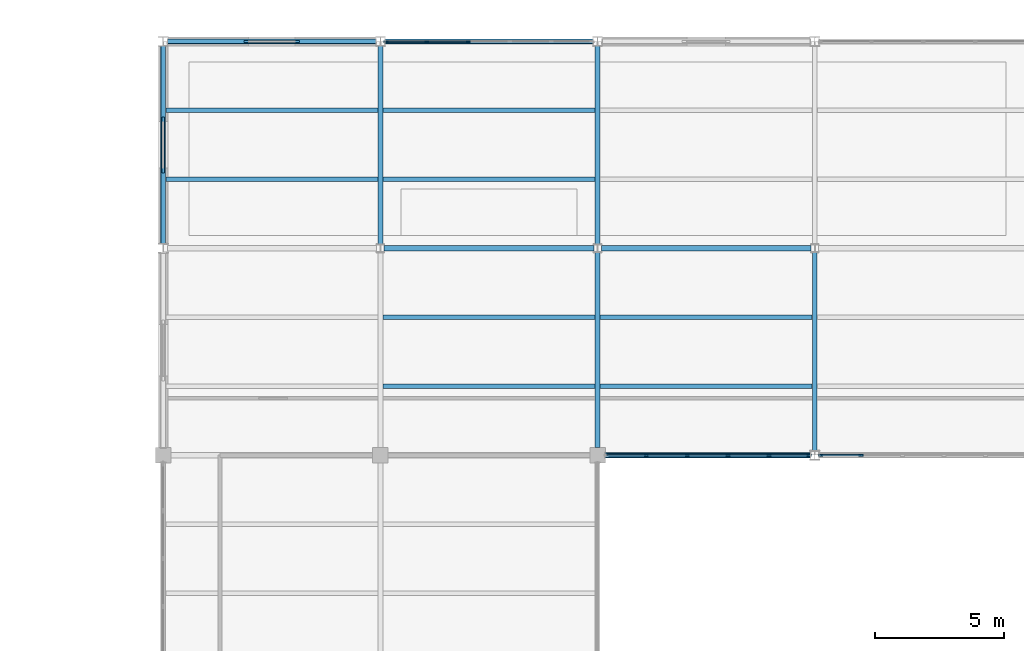
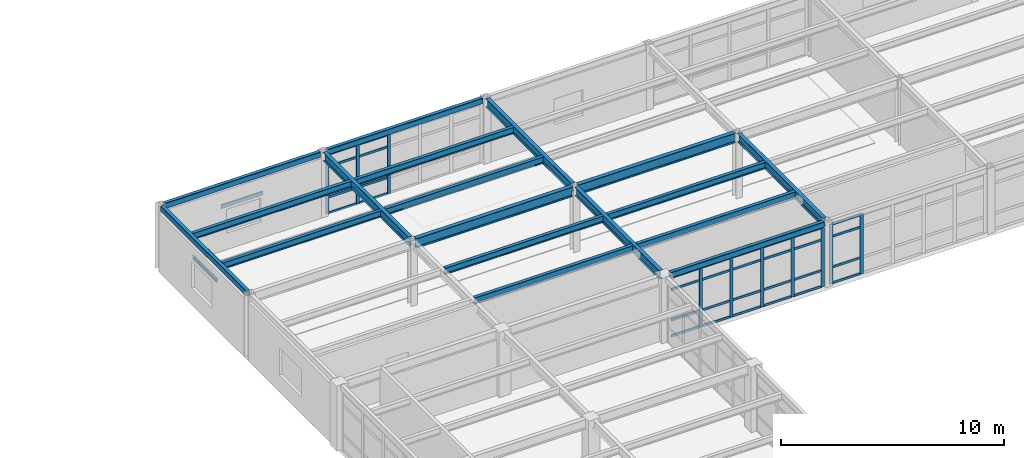
# One storey, part 28 of 96: 42 members, 20 beams, 3 elements without a shape of their own.
"""IFC4 building model written with IfcOpenShell, lengths in metres."""

from ifc_helpers import new_model, si_unit, direction, frame, origin, origin_2d, place, context, subcontext, project, spatial, rectangle, hollow_rectangle, i_section, u_section, extrude, material, layer, layer_set, material_profile, profile_set, type_object, element, aggregate, save


model = new_model("IFC4")

# Units and contexts
model_context = context("Model", 3, precision=1e-05, world=origin(), true_north=direction((0.0, 1.0)))
body_context = subcontext(model_context, "Body", "Model", "MODEL_VIEW")
ifc_project = project(units=[si_unit("LENGTHUNIT", "METRE"), si_unit("AREAUNIT", "SQUARE_METRE"), si_unit("VOLUMEUNIT", "CUBIC_METRE"), si_unit("PLANEANGLEUNIT", "RADIAN"), si_unit("MASSUNIT", "GRAM", prefix="KILO")], contexts=[model_context])

# Site, building, storey
site_placement = place(None, origin())
site = spatial("IfcSite", under=ifc_project, at=site_placement, CompositionType="ELEMENT")
building_placement = place(site_placement, origin())
building = spatial("IfcBuilding", under=site, at=building_placement, Name="Kranzveld Transit Interchange", CompositionType="ELEMENT")
storey_placement = place(building_placement, frame((0.0, 0.0, 9.52001953125)))
storey = spatial("IfcBuildingStorey", under=building, at=storey_placement, Name="L02", CompositionType="ELEMENT", Elevation=9.52001953125)

# Beams
ifc_material_1 = material(Name="Steel S355JR", Category="steel")
ifc_material_profile_1 = material_profile(ifc_material_1, i_section(OverallWidth=0.19189453125, OverallDepth=0.46337890625, WebThickness=0.010498046875, FlangeThickness=0.017578125, FilletRadius=0.01025390625, at=origin_2d()), Name="UB 457x191x89")
ifc_profile_set_1 = profile_set([ifc_material_profile_1], Name="Steel S355JR")
beam_type_1 = type_object("IfcBeamType", Name="Beam Steel UB 457x191x89 S355JR", PredefinedType="BEAM", material=ifc_profile_set_1)
beam_1_placement = place(storey_placement, frame((109.199951171875, 104.159912109375, 3.33837890625), z_axis=(0.0, 1.0, 0.0), x_axis=(-1.0, 0.0, 0.0)))
element("IfcBeam", 1, at=beam_1_placement, inside=storey, type_object=beam_type_1, Name="L02 Girder 14/P-Q", PredefinedType="BEAM", context=body_context, shape_type="SweptSolid", body=[
    extrude(i_section(OverallWidth=0.19189453125, OverallDepth=0.46337890625, WebThickness=0.010498046875, FlangeThickness=0.017578125, FilletRadius=0.01025390625, at=origin_2d()), origin(), (0.0, 0.0, 1.0), 7.662841796875),
])
beam_2_placement = place(storey_placement, frame((117.60009765625, 96.2900390625, 3.33837890625), z_axis=(0.0, 1.0, 0.0), x_axis=(-1.0, 0.0, 0.0)))
element("IfcBeam", 2, at=beam_2_placement, inside=storey, type_object=beam_type_1, Name="L02 Girder 15/N-P", PredefinedType="BEAM", context=body_context, shape_type="SweptSolid", body=[
    extrude(i_section(OverallWidth=0.19189453125, OverallDepth=0.46337890625, WebThickness=0.010498046875, FlangeThickness=0.017578125, FilletRadius=0.01025390625, at=origin_2d()), origin(), (0.0, 0.0, 1.0), 7.550048828125),
])
for number, where, z_axis, x_axis, name in (
    (3, (117.60009765625, 104.159912109375, 3.33837890625), (0.0, 1.0, 0.0), (-1.0, 0.0, 0.0), "L02 Girder 15/P-Q"),
    (4, (126.0, 96.17724609375, 3.33837890625), (0.0, 1.0, 0.0), (-1.0, 0.0, 0.0), "L02 Girder 16/N-P"),
):
    element("IfcBeam", number, at=place(storey_placement, frame(where, z_axis=z_axis, x_axis=x_axis)), inside=storey, type_object=beam_type_1, Name=name, PredefinedType="BEAM", context=body_context, shape_type="SweptSolid", body=[
        extrude(i_section(OverallWidth=0.19189453125, OverallDepth=0.46337890625, WebThickness=0.010498046875, FlangeThickness=0.017578125, FilletRadius=0.01025390625, at=origin_2d()), origin(), (0.0, 0.0, 1.0), 7.662841796875),
    ])

# Curtain wall, members
ifc_material_2 = material(Name="Bronze-anodised thermally broken aluminium", Category="aluminium")
ifc_layer_1 = layer(ifc_material_2, 0.155029296875)
ifc_layer_set_1 = layer_set([ifc_layer_1], Name="Bronze-anodised thermally broken aluminium")
curtain_wall_type_1 = type_object("IfcCurtainWallType", Name="Operations Courtyard Glazed Screen CW-6", PredefinedType="USERDEFINED", material=ifc_layer_set_1)
curtain_wall_1_placement = place(storey_placement, origin())
curtain_wall_1 = element("IfcCurtainWall", 5, at=curtain_wall_1_placement, inside=storey, type_object=curtain_wall_type_1, Name="L02 Curtain Wall 15/N-16/N", ObjectType="CURTAIN WALL", PredefinedType="USERDEFINED")
ifc_material_3 = material(Name="Bronze-anodised thermally broken aluminium", Category="aluminium")
ifc_material_profile_2 = material_profile(ifc_material_3, rectangle(XDim=0.06494140625, YDim=0.1650390625, at=origin_2d()), Name="ALU MULLION 65x165")
ifc_profile_set_2 = profile_set([ifc_material_profile_2], Name="Bronze-anodised thermally broken aluminium")
member_type_1 = type_object("IfcMemberType", Name="Curtain Wall Mullion 65x165 Alu", PredefinedType="MULLION", material=ifc_profile_set_2)
member_1_placement = place(storey_placement, frame((119.482421875, 96.0, 0.0), z_axis=(0.0, 0.0, 1.0), x_axis=(0.0, 1.0, 0.0)))
member_1 = element("IfcMember", 6, at=member_1_placement, type_object=member_type_1, Name="CW-6 mullion 2", PredefinedType="MULLION", context=body_context, shape_type="SweptSolid", body=[
    extrude(rectangle(XDim=0.06494140625, YDim=0.1650390625, at=origin_2d()), origin(), (0.0, 0.0, 1.0), 3.27001953125),
])
member_2_placement = place(storey_placement, frame((121.065185546875, 96.0, 0.0), z_axis=(0.0, 0.0, 1.0), x_axis=(0.0, 1.0, 0.0)))
member_2 = element("IfcMember", 7, at=member_2_placement, type_object=member_type_1, Name="CW-6 mullion 3", PredefinedType="MULLION", context=body_context, shape_type="SweptSolid", body=[
    extrude(rectangle(XDim=0.06494140625, YDim=0.1650390625, at=origin_2d()), origin(), (0.0, 0.0, 1.0), 3.27001953125),
])
member_3_placement = place(storey_placement, frame((122.647705078125, 96.0, 0.0), z_axis=(0.0, 0.0, 1.0), x_axis=(0.0, 1.0, 0.0)))
member_3 = element("IfcMember", 8, at=member_3_placement, type_object=member_type_1, Name="CW-6 mullion 4", PredefinedType="MULLION", context=body_context, shape_type="SweptSolid", body=[
    extrude(rectangle(XDim=0.06494140625, YDim=0.1650390625, at=origin_2d()), origin(), (0.0, 0.0, 1.0), 3.27001953125),
])
member_4_placement = place(storey_placement, frame((124.230224609375, 96.0, 0.0), z_axis=(0.0, 0.0, 1.0), x_axis=(0.0, 1.0, 0.0)))
member_4 = element("IfcMember", 9, at=member_4_placement, type_object=member_type_1, Name="CW-6 mullion 5", PredefinedType="MULLION", context=body_context, shape_type="SweptSolid", body=[
    extrude(rectangle(XDim=0.06494140625, YDim=0.1650390625, at=origin_2d()), origin(), (0.0, 0.0, 1.0), 3.27001953125),
])
member_5_placement = place(storey_placement, frame((125.7802734375, 96.0, 0.0), z_axis=(0.0, 0.0, 1.0), x_axis=(0.0, 1.0, 0.0)))
member_5 = element("IfcMember", 10, at=member_5_placement, type_object=member_type_1, Name="CW-6 mullion 6", PredefinedType="MULLION", context=body_context, shape_type="SweptSolid", body=[
    extrude(rectangle(XDim=0.06494140625, YDim=0.1650390625, at=origin_2d()), origin(), (0.0, 0.0, 1.0), 3.27001953125),
])

ifc_material_4 = material(Name="Bronze-anodised thermally broken aluminium", Category="aluminium")
ifc_layer_2 = layer(ifc_material_4, 0.1650390625)
ifc_layer_set_2 = layer_set([ifc_layer_2], Name="Bronze-anodised thermally broken aluminium")
curtain_wall_type_2 = type_object("IfcCurtainWallType", Name="Sunny Court Arcade Curtain Wall CW-2", PredefinedType="USERDEFINED", material=ifc_layer_set_2)
curtain_wall_2_placement = place(storey_placement, origin())
curtain_wall_2 = element("IfcCurtainWall", 11, at=curtain_wall_2_placement, inside=storey, type_object=curtain_wall_type_2, Name="L02 Curtain Wall 14/Q-15/Q", ObjectType="CURTAIN WALL", PredefinedType="USERDEFINED")
member_6_placement = place(storey_placement, frame((109.419921875, 112.0, 0.0), z_axis=(0.0, 0.0, 1.0), x_axis=(0.0, 1.0, 0.0)))
member_6 = element("IfcMember", 12, at=member_6_placement, type_object=member_type_1, Name="CW-2 mullion 1", PredefinedType="MULLION", context=body_context, shape_type="SweptSolid", body=[
    extrude(rectangle(XDim=0.06494140625, YDim=0.1650390625, at=origin_2d()), origin(), (0.0, 0.0, 1.0), 3.27001953125),
])
member_7_placement = place(storey_placement, frame((110.992431640625, 112.0, 0.0), z_axis=(0.0, 0.0, 1.0), x_axis=(0.0, 1.0, 0.0)))
member_7 = element("IfcMember", 13, at=member_7_placement, type_object=member_type_1, Name="CW-2 mullion 2", PredefinedType="MULLION", context=body_context, shape_type="SweptSolid", body=[
    extrude(rectangle(XDim=0.06494140625, YDim=0.1650390625, at=origin_2d()), origin(), (0.0, 0.0, 1.0), 3.27001953125),
])
member_8_placement = place(storey_placement, frame((112.597412109375, 112.0, 0.0), z_axis=(0.0, 0.0, 1.0), x_axis=(0.0, 1.0, 0.0)))
member_8 = element("IfcMember", 14, at=member_8_placement, type_object=member_type_1, Name="CW-2 mullion 3", PredefinedType="MULLION", context=body_context, shape_type="SweptSolid", body=[
    extrude(rectangle(XDim=0.06494140625, YDim=0.1650390625, at=origin_2d()), origin(), (0.0, 0.0, 1.0), 3.27001953125),
])

curtain_wall_3_placement = place(storey_placement, origin())
curtain_wall_3 = element("IfcCurtainWall", 15, at=curtain_wall_3_placement, inside=storey, type_object=curtain_wall_type_2, Name="L02 Curtain Wall 16/N-17/N", ObjectType="CURTAIN WALL", PredefinedType="USERDEFINED")
ifc_material_5 = material(Name="Bronze-anodised thermally broken aluminium", Category="aluminium")
ifc_material_profile_3 = material_profile(ifc_material_5, rectangle(XDim=0.06494140625, YDim=0.179931640625, at=origin_2d()), Name="ALU MULLION 65x180")
ifc_profile_set_3 = profile_set([ifc_material_profile_3], Name="Bronze-anodised thermally broken aluminium")
member_type_2 = type_object("IfcMemberType", Name="Curtain Wall Mullion 65x180 Alu", PredefinedType="MULLION", material=ifc_profile_set_3)
member_9_placement = place(storey_placement, frame((126.2197265625, 96.0, 0.0), z_axis=(0.0, 0.0, 1.0), x_axis=(0.0, 1.0, 0.0)))
member_9 = element("IfcMember", 16, at=member_9_placement, type_object=member_type_2, Name="CW-2 mullion 1", PredefinedType="MULLION", context=body_context, shape_type="SweptSolid", body=[
    extrude(rectangle(XDim=0.06494140625, YDim=0.179931640625, at=origin_2d()), origin(), (0.0, 0.0, 1.0), 3.27001953125),
])
member_10_placement = place(storey_placement, frame((127.79248046875, 96.0, 0.0), z_axis=(0.0, 0.0, 1.0), x_axis=(0.0, 1.0, 0.0)))
member_10 = element("IfcMember", 17, at=member_10_placement, type_object=member_type_2, Name="CW-2 mullion 2", PredefinedType="MULLION", context=body_context, shape_type="SweptSolid", body=[
    extrude(rectangle(XDim=0.06494140625, YDim=0.179931640625, at=origin_2d()), origin(), (0.0, 0.0, 1.0), 3.27001953125),
])

# Member
ifc_material_6 = material(Name="Bronze-anodised thermally broken aluminium", Category="aluminium")
ifc_material_profile_4 = material_profile(ifc_material_6, rectangle(XDim=0.06005859375, YDim=0.125, at=origin_2d()), Name="ALU TRANSOM 60x125")
ifc_profile_set_4 = profile_set([ifc_material_profile_4], Name="Bronze-anodised thermally broken aluminium")
member_type_3 = type_object("IfcMemberType", Name="Curtain Wall Transom 60x125 Alu", PredefinedType="USERDEFINED", material=ifc_profile_set_4)
member_11_placement = place(storey_placement, frame((117.965087890625, 96.0, 0.030029296875), z_axis=(1.0, 0.0, 0.0), x_axis=(0.0, 1.0, 0.0)))
member_11 = element("IfcMember", 18, at=member_11_placement, type_object=member_type_3, Name="CW-6 transom 1.1", ObjectType="TRANSOM", PredefinedType="USERDEFINED", context=body_context, shape_type="SweptSolid", body=[
    extrude(rectangle(XDim=0.06005859375, YDim=0.125, at=origin_2d()), origin(), (0.0, 0.0, 1.0), 1.48486328125),
])

member_12_placement = place(storey_placement, frame((117.965087890625, 96.0, 0.89990234375), z_axis=(1.0, 0.0, 0.0), x_axis=(0.0, 1.0, 0.0)))
member_12 = element("IfcMember", 19, at=member_12_placement, type_object=member_type_3, Name="CW-6 transom 1.2", ObjectType="TRANSOM", PredefinedType="USERDEFINED", context=body_context, shape_type="SweptSolid", body=[
    extrude(rectangle(XDim=0.06005859375, YDim=0.125, at=origin_2d()), origin(), (0.0, 0.0, 1.0), 1.48486328125),
])

member_13_placement = place(storey_placement, frame((117.965087890625, 96.0, 2.570068359375), z_axis=(1.0, 0.0, 0.0), x_axis=(0.0, 1.0, 0.0)))
member_13 = element("IfcMember", 20, at=member_13_placement, type_object=member_type_3, Name="CW-6 transom 1.3", ObjectType="TRANSOM", PredefinedType="USERDEFINED", context=body_context, shape_type="SweptSolid", body=[
    extrude(rectangle(XDim=0.06005859375, YDim=0.125, at=origin_2d()), origin(), (0.0, 0.0, 1.0), 1.48486328125),
])

member_14_placement = place(storey_placement, frame((117.965087890625, 96.0, 3.239990234375), z_axis=(1.0, 0.0, 0.0), x_axis=(0.0, 1.0, 0.0)))
member_14 = element("IfcMember", 21, at=member_14_placement, type_object=member_type_3, Name="CW-6 transom 1.4", ObjectType="TRANSOM", PredefinedType="USERDEFINED", context=body_context, shape_type="SweptSolid", body=[
    extrude(rectangle(XDim=0.06005859375, YDim=0.125, at=origin_2d()), origin(), (0.0, 0.0, 1.0), 1.48486328125),
])

member_15_placement = place(storey_placement, frame((119.51513671875, 96.0, 0.030029296875), z_axis=(1.0, 0.0, 0.0), x_axis=(0.0, 1.0, 0.0)))
member_15 = element("IfcMember", 22, at=member_15_placement, type_object=member_type_3, Name="CW-6 transom 2.1", ObjectType="TRANSOM", PredefinedType="USERDEFINED", context=body_context, shape_type="SweptSolid", body=[
    extrude(rectangle(XDim=0.06005859375, YDim=0.125, at=origin_2d()), origin(), (0.0, 0.0, 1.0), 1.517333984375),
])

member_16_placement = place(storey_placement, frame((119.51513671875, 96.0, 0.89990234375), z_axis=(1.0, 0.0, 0.0), x_axis=(0.0, 1.0, 0.0)))
member_16 = element("IfcMember", 23, at=member_16_placement, type_object=member_type_3, Name="CW-6 transom 2.2", ObjectType="TRANSOM", PredefinedType="USERDEFINED", context=body_context, shape_type="SweptSolid", body=[
    extrude(rectangle(XDim=0.06005859375, YDim=0.125, at=origin_2d()), origin(), (0.0, 0.0, 1.0), 1.517333984375),
])

member_17_placement = place(storey_placement, frame((119.51513671875, 96.0, 2.570068359375), z_axis=(1.0, 0.0, 0.0), x_axis=(0.0, 1.0, 0.0)))
member_17 = element("IfcMember", 24, at=member_17_placement, type_object=member_type_3, Name="CW-6 transom 2.3", ObjectType="TRANSOM", PredefinedType="USERDEFINED", context=body_context, shape_type="SweptSolid", body=[
    extrude(rectangle(XDim=0.06005859375, YDim=0.125, at=origin_2d()), origin(), (0.0, 0.0, 1.0), 1.517333984375),
])

member_18_placement = place(storey_placement, frame((119.51513671875, 96.0, 3.239990234375), z_axis=(1.0, 0.0, 0.0), x_axis=(0.0, 1.0, 0.0)))
member_18 = element("IfcMember", 25, at=member_18_placement, type_object=member_type_3, Name="CW-6 transom 2.4", ObjectType="TRANSOM", PredefinedType="USERDEFINED", context=body_context, shape_type="SweptSolid", body=[
    extrude(rectangle(XDim=0.06005859375, YDim=0.125, at=origin_2d()), origin(), (0.0, 0.0, 1.0), 1.517333984375),
])

member_19_placement = place(storey_placement, frame((121.09765625, 96.0, 0.030029296875), z_axis=(1.0, 0.0, 0.0), x_axis=(0.0, 1.0, 0.0)))
member_19 = element("IfcMember", 26, at=member_19_placement, type_object=member_type_3, Name="CW-6 transom 3.1", ObjectType="TRANSOM", PredefinedType="USERDEFINED", context=body_context, shape_type="SweptSolid", body=[
    extrude(rectangle(XDim=0.06005859375, YDim=0.125, at=origin_2d()), origin(), (0.0, 0.0, 1.0), 1.517578125),
])

member_20_placement = place(storey_placement, frame((121.09765625, 96.0, 0.89990234375), z_axis=(1.0, 0.0, 0.0), x_axis=(0.0, 1.0, 0.0)))
member_20 = element("IfcMember", 27, at=member_20_placement, type_object=member_type_3, Name="CW-6 transom 3.2", ObjectType="TRANSOM", PredefinedType="USERDEFINED", context=body_context, shape_type="SweptSolid", body=[
    extrude(rectangle(XDim=0.06005859375, YDim=0.125, at=origin_2d()), origin(), (0.0, 0.0, 1.0), 1.517578125),
])

member_21_placement = place(storey_placement, frame((121.09765625, 96.0, 2.570068359375), z_axis=(1.0, 0.0, 0.0), x_axis=(0.0, 1.0, 0.0)))
member_21 = element("IfcMember", 28, at=member_21_placement, type_object=member_type_3, Name="CW-6 transom 3.3", ObjectType="TRANSOM", PredefinedType="USERDEFINED", context=body_context, shape_type="SweptSolid", body=[
    extrude(rectangle(XDim=0.06005859375, YDim=0.125, at=origin_2d()), origin(), (0.0, 0.0, 1.0), 1.517578125),
])

member_22_placement = place(storey_placement, frame((121.09765625, 96.0, 3.239990234375), z_axis=(1.0, 0.0, 0.0), x_axis=(0.0, 1.0, 0.0)))
member_22 = element("IfcMember", 29, at=member_22_placement, type_object=member_type_3, Name="CW-6 transom 3.4", ObjectType="TRANSOM", PredefinedType="USERDEFINED", context=body_context, shape_type="SweptSolid", body=[
    extrude(rectangle(XDim=0.06005859375, YDim=0.125, at=origin_2d()), origin(), (0.0, 0.0, 1.0), 1.517578125),
])

member_23_placement = place(storey_placement, frame((122.68017578125, 96.0, 0.030029296875), z_axis=(1.0, 0.0, 0.0), x_axis=(0.0, 1.0, 0.0)))
member_23 = element("IfcMember", 30, at=member_23_placement, type_object=member_type_3, Name="CW-6 transom 4.1", ObjectType="TRANSOM", PredefinedType="USERDEFINED", context=body_context, shape_type="SweptSolid", body=[
    extrude(rectangle(XDim=0.06005859375, YDim=0.125, at=origin_2d()), origin(), (0.0, 0.0, 1.0), 1.517578125),
])

member_24_placement = place(storey_placement, frame((122.68017578125, 96.0, 0.89990234375), z_axis=(1.0, 0.0, 0.0), x_axis=(0.0, 1.0, 0.0)))
member_24 = element("IfcMember", 31, at=member_24_placement, type_object=member_type_3, Name="CW-6 transom 4.2", ObjectType="TRANSOM", PredefinedType="USERDEFINED", context=body_context, shape_type="SweptSolid", body=[
    extrude(rectangle(XDim=0.06005859375, YDim=0.125, at=origin_2d()), origin(), (0.0, 0.0, 1.0), 1.517578125),
])

member_25_placement = place(storey_placement, frame((122.68017578125, 96.0, 2.570068359375), z_axis=(1.0, 0.0, 0.0), x_axis=(0.0, 1.0, 0.0)))
member_25 = element("IfcMember", 32, at=member_25_placement, type_object=member_type_3, Name="CW-6 transom 4.3", ObjectType="TRANSOM", PredefinedType="USERDEFINED", context=body_context, shape_type="SweptSolid", body=[
    extrude(rectangle(XDim=0.06005859375, YDim=0.125, at=origin_2d()), origin(), (0.0, 0.0, 1.0), 1.517578125),
])

member_26_placement = place(storey_placement, frame((122.68017578125, 96.0, 3.239990234375), z_axis=(1.0, 0.0, 0.0), x_axis=(0.0, 1.0, 0.0)))
member_26 = element("IfcMember", 33, at=member_26_placement, type_object=member_type_3, Name="CW-6 transom 4.4", ObjectType="TRANSOM", PredefinedType="USERDEFINED", context=body_context, shape_type="SweptSolid", body=[
    extrude(rectangle(XDim=0.06005859375, YDim=0.125, at=origin_2d()), origin(), (0.0, 0.0, 1.0), 1.517578125),
])

member_27_placement = place(storey_placement, frame((124.2626953125, 96.0, 0.030029296875), z_axis=(1.0, 0.0, 0.0), x_axis=(0.0, 1.0, 0.0)))
member_27 = element("IfcMember", 34, at=member_27_placement, type_object=member_type_3, Name="CW-6 transom 5.1", ObjectType="TRANSOM", PredefinedType="USERDEFINED", context=body_context, shape_type="SweptSolid", body=[
    extrude(rectangle(XDim=0.06005859375, YDim=0.125, at=origin_2d()), origin(), (0.0, 0.0, 1.0), 1.485107421875),
])

member_28_placement = place(storey_placement, frame((124.2626953125, 96.0, 0.89990234375), z_axis=(1.0, 0.0, 0.0), x_axis=(0.0, 1.0, 0.0)))
member_28 = element("IfcMember", 35, at=member_28_placement, type_object=member_type_3, Name="CW-6 transom 5.2", ObjectType="TRANSOM", PredefinedType="USERDEFINED", context=body_context, shape_type="SweptSolid", body=[
    extrude(rectangle(XDim=0.06005859375, YDim=0.125, at=origin_2d()), origin(), (0.0, 0.0, 1.0), 1.485107421875),
])

member_29_placement = place(storey_placement, frame((124.2626953125, 96.0, 2.570068359375), z_axis=(1.0, 0.0, 0.0), x_axis=(0.0, 1.0, 0.0)))
member_29 = element("IfcMember", 36, at=member_29_placement, type_object=member_type_3, Name="CW-6 transom 5.3", ObjectType="TRANSOM", PredefinedType="USERDEFINED", context=body_context, shape_type="SweptSolid", body=[
    extrude(rectangle(XDim=0.06005859375, YDim=0.125, at=origin_2d()), origin(), (0.0, 0.0, 1.0), 1.485107421875),
])

member_30_placement = place(storey_placement, frame((124.2626953125, 96.0, 3.239990234375), z_axis=(1.0, 0.0, 0.0), x_axis=(0.0, 1.0, 0.0)))
member_30 = element("IfcMember", 37, at=member_30_placement, type_object=member_type_3, Name="CW-6 transom 5.4", ObjectType="TRANSOM", PredefinedType="USERDEFINED", context=body_context, shape_type="SweptSolid", body=[
    extrude(rectangle(XDim=0.06005859375, YDim=0.125, at=origin_2d()), origin(), (0.0, 0.0, 1.0), 1.485107421875),
])

aggregate(curtain_wall_1, [member_1, member_2, member_3, member_4, member_5, member_11, member_12, member_13, member_14, member_15, member_16, member_17, member_18, member_19, member_20, member_21, member_22, member_23, member_24, member_25, member_26, member_27, member_28, member_29, member_30])

member_31_placement = place(storey_placement, frame((126.252197265625, 96.0, 0.030029296875), z_axis=(1.0, 0.0, 0.0), x_axis=(0.0, 1.0, 0.0)))
member_31 = element("IfcMember", 38, at=member_31_placement, type_object=member_type_3, Name="CW-2 transom 1.1", ObjectType="TRANSOM", PredefinedType="USERDEFINED", context=body_context, shape_type="SweptSolid", body=[
    extrude(rectangle(XDim=0.06005859375, YDim=0.125, at=origin_2d()), origin(), (0.0, 0.0, 1.0), 1.507568359375),
])

member_32_placement = place(storey_placement, frame((126.252197265625, 96.0, 0.89990234375), z_axis=(1.0, 0.0, 0.0), x_axis=(0.0, 1.0, 0.0)))
member_32 = element("IfcMember", 39, at=member_32_placement, type_object=member_type_3, Name="CW-2 transom 1.2", ObjectType="TRANSOM", PredefinedType="USERDEFINED", context=body_context, shape_type="SweptSolid", body=[
    extrude(rectangle(XDim=0.06005859375, YDim=0.125, at=origin_2d()), origin(), (0.0, 0.0, 1.0), 1.507568359375),
])

member_33_placement = place(storey_placement, frame((126.252197265625, 96.0, 2.570068359375), z_axis=(1.0, 0.0, 0.0), x_axis=(0.0, 1.0, 0.0)))
member_33 = element("IfcMember", 40, at=member_33_placement, type_object=member_type_3, Name="CW-2 transom 1.3", ObjectType="TRANSOM", PredefinedType="USERDEFINED", context=body_context, shape_type="SweptSolid", body=[
    extrude(rectangle(XDim=0.06005859375, YDim=0.125, at=origin_2d()), origin(), (0.0, 0.0, 1.0), 1.507568359375),
])

member_34_placement = place(storey_placement, frame((126.252197265625, 96.0, 3.239990234375), z_axis=(1.0, 0.0, 0.0), x_axis=(0.0, 1.0, 0.0)))
member_34 = element("IfcMember", 41, at=member_34_placement, type_object=member_type_3, Name="CW-2 transom 1.4", ObjectType="TRANSOM", PredefinedType="USERDEFINED", context=body_context, shape_type="SweptSolid", body=[
    extrude(rectangle(XDim=0.06005859375, YDim=0.125, at=origin_2d()), origin(), (0.0, 0.0, 1.0), 1.507568359375),
])

aggregate(curtain_wall_3, [member_9, member_10, member_31, member_32, member_33, member_34])

member_35_placement = place(storey_placement, frame((109.452392578125, 112.0, 0.030029296875), z_axis=(1.0, 0.0, 0.0), x_axis=(0.0, 1.0, 0.0)))
member_35 = element("IfcMember", 42, at=member_35_placement, type_object=member_type_3, Name="CW-2 transom 1.1", ObjectType="TRANSOM", PredefinedType="USERDEFINED", context=body_context, shape_type="SweptSolid", body=[
    extrude(rectangle(XDim=0.06005859375, YDim=0.125, at=origin_2d()), origin(), (0.0, 0.0, 1.0), 1.507568359375),
])

member_36_placement = place(storey_placement, frame((109.452392578125, 112.0, 0.89990234375), z_axis=(1.0, 0.0, 0.0), x_axis=(0.0, 1.0, 0.0)))
member_36 = element("IfcMember", 43, at=member_36_placement, type_object=member_type_3, Name="CW-2 transom 1.2", ObjectType="TRANSOM", PredefinedType="USERDEFINED", context=body_context, shape_type="SweptSolid", body=[
    extrude(rectangle(XDim=0.06005859375, YDim=0.125, at=origin_2d()), origin(), (0.0, 0.0, 1.0), 1.507568359375),
])

member_37_placement = place(storey_placement, frame((109.452392578125, 112.0, 2.570068359375), z_axis=(1.0, 0.0, 0.0), x_axis=(0.0, 1.0, 0.0)))
member_37 = element("IfcMember", 44, at=member_37_placement, type_object=member_type_3, Name="CW-2 transom 1.3", ObjectType="TRANSOM", PredefinedType="USERDEFINED", context=body_context, shape_type="SweptSolid", body=[
    extrude(rectangle(XDim=0.06005859375, YDim=0.125, at=origin_2d()), origin(), (0.0, 0.0, 1.0), 1.507568359375),
])

member_38_placement = place(storey_placement, frame((109.452392578125, 112.0, 3.239990234375), z_axis=(1.0, 0.0, 0.0), x_axis=(0.0, 1.0, 0.0)))
member_38 = element("IfcMember", 45, at=member_38_placement, type_object=member_type_3, Name="CW-2 transom 1.4", ObjectType="TRANSOM", PredefinedType="USERDEFINED", context=body_context, shape_type="SweptSolid", body=[
    extrude(rectangle(XDim=0.06005859375, YDim=0.125, at=origin_2d()), origin(), (0.0, 0.0, 1.0), 1.507568359375),
])

member_39_placement = place(storey_placement, frame((111.02490234375, 112.0, 0.030029296875), z_axis=(1.0, 0.0, 0.0), x_axis=(0.0, 1.0, 0.0)))
member_39 = element("IfcMember", 46, at=member_39_placement, type_object=member_type_3, Name="CW-2 transom 2.1", ObjectType="TRANSOM", PredefinedType="USERDEFINED", context=body_context, shape_type="SweptSolid", body=[
    extrude(rectangle(XDim=0.06005859375, YDim=0.125, at=origin_2d()), origin(), (0.0, 0.0, 1.0), 1.5400390625),
])

member_40_placement = place(storey_placement, frame((111.02490234375, 112.0, 0.89990234375), z_axis=(1.0, 0.0, 0.0), x_axis=(0.0, 1.0, 0.0)))
member_40 = element("IfcMember", 47, at=member_40_placement, type_object=member_type_3, Name="CW-2 transom 2.2", ObjectType="TRANSOM", PredefinedType="USERDEFINED", context=body_context, shape_type="SweptSolid", body=[
    extrude(rectangle(XDim=0.06005859375, YDim=0.125, at=origin_2d()), origin(), (0.0, 0.0, 1.0), 1.5400390625),
])

member_41_placement = place(storey_placement, frame((111.02490234375, 112.0, 2.570068359375), z_axis=(1.0, 0.0, 0.0), x_axis=(0.0, 1.0, 0.0)))
member_41 = element("IfcMember", 48, at=member_41_placement, type_object=member_type_3, Name="CW-2 transom 2.3", ObjectType="TRANSOM", PredefinedType="USERDEFINED", context=body_context, shape_type="SweptSolid", body=[
    extrude(rectangle(XDim=0.06005859375, YDim=0.125, at=origin_2d()), origin(), (0.0, 0.0, 1.0), 1.5400390625),
])

member_42_placement = place(storey_placement, frame((111.02490234375, 112.0, 3.239990234375), z_axis=(1.0, 0.0, 0.0), x_axis=(0.0, 1.0, 0.0)))
member_42 = element("IfcMember", 49, at=member_42_placement, type_object=member_type_3, Name="CW-2 transom 2.4", ObjectType="TRANSOM", PredefinedType="USERDEFINED", context=body_context, shape_type="SweptSolid", body=[
    extrude(rectangle(XDim=0.06005859375, YDim=0.125, at=origin_2d()), origin(), (0.0, 0.0, 1.0), 1.5400390625),
])

aggregate(curtain_wall_2, [member_6, member_7, member_8, member_35, member_36, member_37, member_38, member_39, member_40, member_41, member_42])

# Beams
ifc_material_7 = material(Name="Steel S355JR", Category="steel")
ifc_material_profile_5 = material_profile(ifc_material_7, hollow_rectangle(XDim=0.199951171875, YDim=0.300048828125, WallThickness=0.010009765625, InnerFilletRadius=0.014892578125, OuterFilletRadius=0.02490234375, at=origin_2d()), Name="RHS 300x200x10")
ifc_profile_set_5 = profile_set([ifc_material_profile_5], Name="Steel S355JR")
beam_type_2 = type_object("IfcBeamType", Name="Edge Spandrel RHS 300x200x10 S355JR", PredefinedType="SPANDREL", material=ifc_profile_set_5)
beam_3_placement = place(storey_placement, frame((117.889892578125, 96.0, 3.419921875), z_axis=(1.0, 0.0, 0.0), x_axis=(0.0, 1.0, 0.0)))
element("IfcBeam", 50, at=beam_3_placement, inside=storey, type_object=beam_type_2, Name="L02 Girder 15-16/N", PredefinedType="SPANDREL", context=body_context, shape_type="SweptSolid", body=[
    extrude(hollow_rectangle(XDim=0.199951171875, YDim=0.300048828125, WallThickness=0.010009765625, InnerFilletRadius=0.014892578125, OuterFilletRadius=0.02490234375, at=origin_2d()), origin(), (0.0, 0.0, 1.0), 7.932861328125),
])
for number, where, z_axis, x_axis, name in (
    (51, (100.977294921875, 112.0, 3.419921875), (1.0, 0.0, 0.0), (0.0, 1.0, 0.0), "L02 Girder 13-14/Q"),
    (52, (109.377197265625, 112.0, 3.419921875), (1.0, 0.0, 0.0), (0.0, 1.0, 0.0), "L02 Girder 14-15/Q"),
):
    element("IfcBeam", number, at=place(storey_placement, frame(where, z_axis=z_axis, x_axis=x_axis)), inside=storey, type_object=beam_type_2, Name=name, PredefinedType="SPANDREL", context=body_context, shape_type="SweptSolid", body=[
        extrude(hollow_rectangle(XDim=0.199951171875, YDim=0.300048828125, WallThickness=0.010009765625, InnerFilletRadius=0.014892578125, OuterFilletRadius=0.02490234375, at=origin_2d()), origin(), (0.0, 0.0, 1.0), 8.04541015625),
    ])
beam_4_placement = place(storey_placement, frame((100.800048828125, 104.17724609375, 3.419921875), z_axis=(0.0, 1.0, 0.0), x_axis=(-1.0, 0.0, 0.0)))
element("IfcBeam", 53, at=beam_4_placement, inside=storey, type_object=beam_type_2, Name="L02 Girder 13/P-Q", PredefinedType="SPANDREL", context=body_context, shape_type="SweptSolid", body=[
    extrude(hollow_rectangle(XDim=0.199951171875, YDim=0.300048828125, WallThickness=0.010009765625, InnerFilletRadius=0.014892578125, OuterFilletRadius=0.02490234375, at=origin_2d()), origin(), (0.0, 0.0, 1.0), 7.6455078125),
])
ifc_material_8 = material(Name="Steel S355JR", Category="steel")
ifc_material_profile_6 = material_profile(ifc_material_8, i_section(OverallWidth=0.171142578125, OverallDepth=0.351318359375, WebThickness=0.007080078125, FlangeThickness=0.009765625, FilletRadius=0.01025390625, at=origin_2d()), Name="UB 356x171x45")
ifc_profile_set_6 = profile_set([ifc_material_profile_6], Name="Steel S355JR")
beam_type_3 = type_object("IfcBeamType", Name="Floor Joist UB 356x171x45 S355JR", PredefinedType="JOIST", material=ifc_profile_set_6)
for number, where, z_axis, x_axis, name in (
    (54, (100.902099609375, 106.666748046875, 3.394287109375), (1.0, 0.0, 0.0), (0.0, 1.0, 0.0), "L02 Secondary Joist 13-14/P.1"),
    (55, (100.902099609375, 109.333251953125, 3.394287109375), (1.0, 0.0, 0.0), (0.0, 1.0, 0.0), "L02 Secondary Joist 13-14/P.2"),
):
    element("IfcBeam", number, at=place(storey_placement, frame(where, z_axis=z_axis, x_axis=x_axis)), inside=storey, type_object=beam_type_3, Name=name, PredefinedType="JOIST", context=body_context, shape_type="SweptSolid", body=[
        extrude(i_section(OverallWidth=0.171142578125, OverallDepth=0.351318359375, WebThickness=0.007080078125, FlangeThickness=0.009765625, FilletRadius=0.01025390625, at=origin_2d()), origin(), (0.0, 0.0, 1.0), 8.199951171875),
    ])
for number, where, z_axis, x_axis, name in (
    (56, (109.2978515625, 98.666748046875, 3.394287109375), (1.0, 0.0, 0.0), (0.0, 1.0, 0.0), "L02 Secondary Joist 14-15/N.1"),
    (57, (109.2978515625, 101.333251953125, 3.394287109375), (1.0, 0.0, 0.0), (0.0, 1.0, 0.0), "L02 Secondary Joist 14-15/N.2"),
    (58, (109.2978515625, 106.666748046875, 3.394287109375), (1.0, 0.0, 0.0), (0.0, 1.0, 0.0), "L02 Secondary Joist 14-15/P.1"),
    (59, (109.2978515625, 109.333251953125, 3.394287109375), (1.0, 0.0, 0.0), (0.0, 1.0, 0.0), "L02 Secondary Joist 14-15/P.2"),
    (60, (117.697998046875, 98.666748046875, 3.394287109375), (1.0, 0.0, 0.0), (0.0, 1.0, 0.0), "L02 Secondary Joist 15-16/N.1"),
    (61, (117.697998046875, 101.333251953125, 3.394287109375), (1.0, 0.0, 0.0), (0.0, 1.0, 0.0), "L02 Secondary Joist 15-16/N.2"),
):
    element("IfcBeam", number, at=place(storey_placement, frame(where, z_axis=z_axis, x_axis=x_axis)), inside=storey, type_object=beam_type_3, Name=name, PredefinedType="JOIST", context=body_context, shape_type="SweptSolid", body=[
        extrude(i_section(OverallWidth=0.171142578125, OverallDepth=0.351318359375, WebThickness=0.007080078125, FlangeThickness=0.009765625, FilletRadius=0.01025390625, at=origin_2d()), origin(), (0.0, 0.0, 1.0), 8.2041015625),
    ])
ifc_material_9 = material(Name="Steel S355JR", Category="steel")
ifc_material_profile_7 = material_profile(ifc_material_9, i_section(OverallWidth=0.209228515625, OverallDepth=0.533203125, WebThickness=0.010009765625, FlangeThickness=0.015625, FilletRadius=0.0126953125, at=origin_2d()), Name="UB 533x210x92")
ifc_profile_set_7 = profile_set([ifc_material_profile_7], Name="Steel S355JR")
beam_type_4 = type_object("IfcBeamType", Name="Girder Steel UB 533x210x92 S355JR", PredefinedType="BEAM", material=ifc_profile_set_7)
beam_5_placement = place(storey_placement, frame((109.34716796875, 104.0, 3.303466796875), z_axis=(1.0, 0.0, 0.0), x_axis=(0.0, 1.0, 0.0)))
element("IfcBeam", 62, at=beam_5_placement, inside=storey, type_object=beam_type_4, Name="L02 Girder 14-15/P", PredefinedType="BEAM", context=body_context, shape_type="SweptSolid", body=[
    extrude(i_section(OverallWidth=0.209228515625, OverallDepth=0.533203125, WebThickness=0.010009765625, FlangeThickness=0.015625, FilletRadius=0.0126953125, at=origin_2d()), origin(), (0.0, 0.0, 1.0), 8.105712890625),
])
beam_6_placement = place(storey_placement, frame((117.747314453125, 104.0, 3.303466796875), z_axis=(1.0, 0.0, 0.0), x_axis=(0.0, 1.0, 0.0)))
element("IfcBeam", 63, at=beam_6_placement, inside=storey, type_object=beam_type_4, Name="L02 Girder 15-16/P", PredefinedType="BEAM", context=body_context, shape_type="SweptSolid", body=[
    extrude(i_section(OverallWidth=0.209228515625, OverallDepth=0.533203125, WebThickness=0.010009765625, FlangeThickness=0.015625, FilletRadius=0.0126953125, at=origin_2d()), origin(), (0.0, 0.0, 1.0), 8.10546875),
])
ifc_material_10 = material(Name="Steel S355JR", Category="steel")
ifc_material_profile_8 = material_profile(ifc_material_10, u_section(Depth=0.199951171875, FlangeWidth=0.074951171875, WebThickness=0.006103515625, FlangeThickness=0.012451171875, FilletRadius=0.011962890625, at=origin_2d()), Name="PFC 200x75x23")
ifc_profile_set_8 = profile_set([ifc_material_profile_8], Name="Steel S355JR")
beam_type_5 = type_object("IfcBeamType", Name="Masonry Lintel PFC 200x75x23 S355JR", PredefinedType="LINTEL", material=ifc_profile_set_8)
beam_7_placement = place(storey_placement, frame((103.919921875, 112.0, 2.304931640625), z_axis=(1.0, 0.0, 0.0), x_axis=(0.0, 1.0, 0.0)))
element("IfcBeam", 64, at=beam_7_placement, inside=storey, type_object=beam_type_5, Name="L02 Window Lintel 132", PredefinedType="LINTEL", context=body_context, shape_type="SweptSolid", body=[
    extrude(u_section(Depth=0.199951171875, FlangeWidth=0.074951171875, WebThickness=0.006103515625, FlangeThickness=0.012451171875, FilletRadius=0.011962890625, at=origin_2d()), origin(), (0.0, 0.0, 1.0), 2.16015625),
])
ifc_material_11 = material(Name="Steel S355JR", Category="steel")
ifc_material_profile_9 = material_profile(ifc_material_11, i_section(OverallWidth=0.091064453125, OverallDepth=0.179931640625, WebThickness=0.00537109375, FlangeThickness=0.008056640625, FilletRadius=0.009033203125, at=origin_2d()), Name="IPE 180")
ifc_profile_set_9 = profile_set([ifc_material_profile_9], Name="Steel S355JR")
beam_type_6 = type_object("IfcBeamType", Name="Opening Lintel IPE 180 S355JR", PredefinedType="LINTEL", material=ifc_profile_set_9)
beam_8_placement = place(storey_placement, frame((100.800048828125, 106.919921875, 2.445068359375), z_axis=(0.0, 1.0, 0.0), x_axis=(-1.0, 0.0, 0.0)))
element("IfcBeam", 65, at=beam_8_placement, inside=storey, type_object=beam_type_6, Name="L02 Window Lintel 131", PredefinedType="LINTEL", context=body_context, shape_type="SweptSolid", body=[
    extrude(i_section(OverallWidth=0.091064453125, OverallDepth=0.179931640625, WebThickness=0.00537109375, FlangeThickness=0.008056640625, FilletRadius=0.009033203125, at=origin_2d()), origin(), (0.0, 0.0, 1.0), 2.16015625),
])

save(model, "model.ifc")
